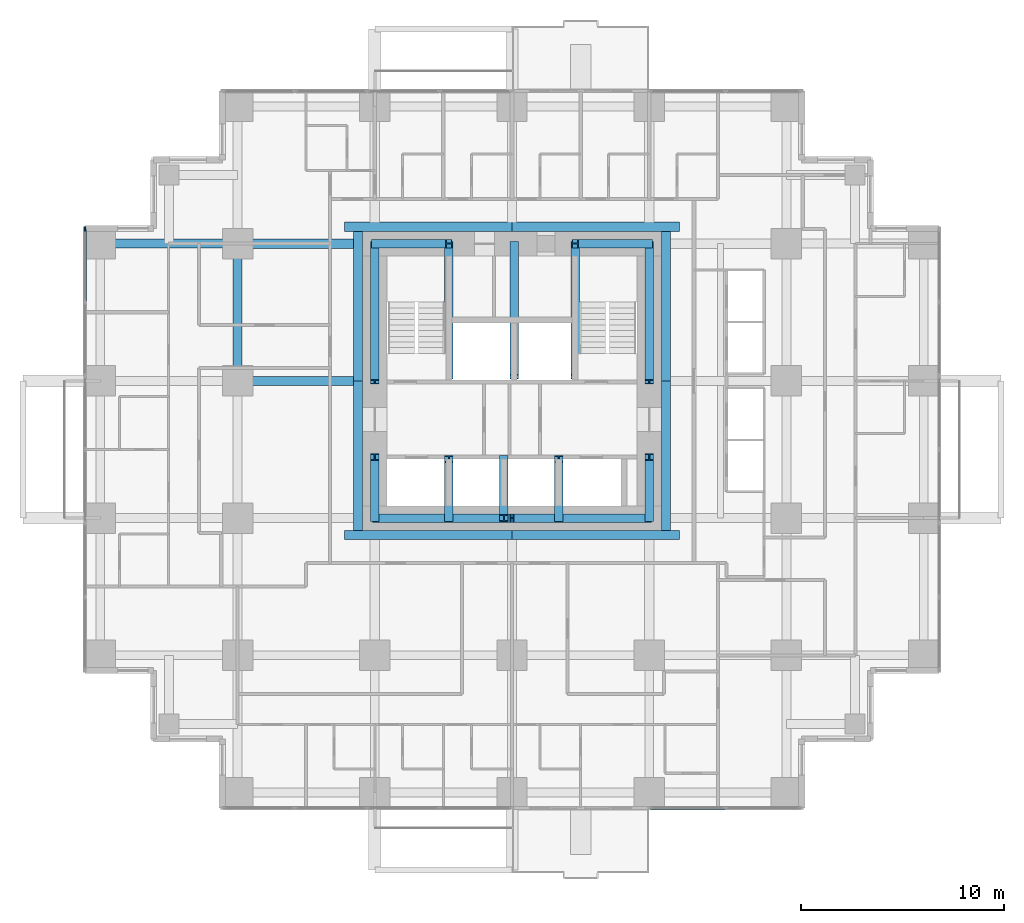
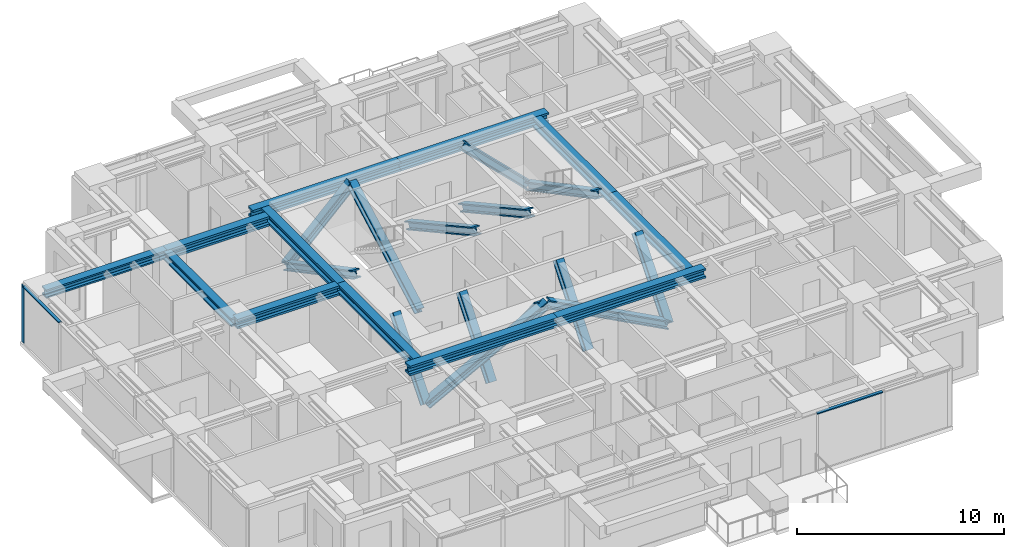
# One storey, part 3 of 12: 17 members, 12 beams, 2 elements without a shape of their own.
"""IFC4 building model written with IfcOpenShell, lengths in metres."""

from ifc_helpers import new_model, si_unit, direction, frame, origin, origin_2d, place, context, subcontext, project, spatial, rectangle, i_section, extrude, material, material_profile, profile_set, type_object, element, aggregate, save


model = new_model("IFC4")

# Units and contexts
model_context = context("Model", 3, precision=1e-05, world=origin(), true_north=direction((0.0, 1.0)))
body_context = subcontext(model_context, "Body", "Model", "MODEL_VIEW")
ifc_project = project(units=[si_unit("LENGTHUNIT", "METRE"), si_unit("AREAUNIT", "SQUARE_METRE"), si_unit("VOLUMEUNIT", "CUBIC_METRE"), si_unit("PLANEANGLEUNIT", "RADIAN"), si_unit("MASSUNIT", "GRAM", prefix="KILO")], contexts=[model_context])

# Site, building, storey
site_placement = place(None, origin())
site = spatial("IfcSite", under=ifc_project, at=site_placement, CompositionType="ELEMENT")
building_placement = place(site_placement, origin())
building = spatial("IfcBuilding", under=site, at=building_placement, Name="Nyansa Garden Tower", CompositionType="ELEMENT")
storey_placement = place(building_placement, frame((0.0, 0.0, 119.699951171875)))
storey = spatial("IfcBuildingStorey", under=building, at=storey_placement, Name="L32", CompositionType="ELEMENT", Elevation=119.699951171875)

# Curtain wall, member
ifc_material_1 = material(Name="Black anodised aluminium, dark tinted double glazing", Category="aluminium")
curtain_wall_type = type_object("IfcCurtainWallType", Name="Inner skin curtain wall ISW-B", PredefinedType="USERDEFINED", material=ifc_material_1)
curtain_wall_1_placement = place(storey_placement, origin())
curtain_wall_1 = element("IfcCurtainWall", 1, at=curtain_wall_1_placement, inside=storey, type_object=curtain_wall_type, Name="Inner skin curtain wall L32 W", ObjectType="UNITISED CURTAIN WALL", PredefinedType="USERDEFINED")
ifc_material_2 = material(Name="Black anodised aluminium", Category="aluminium")
ifc_material_profile_1 = material_profile(ifc_material_2, rectangle(XDim=0.06494140625, YDim=0.22509765625, at=origin_2d()), Name="Mullion 225x65")
ifc_profile_set_1 = profile_set([ifc_material_profile_1], Name="Black anodised aluminium")
member_type_1 = type_object("IfcMemberType", Name="Mullion ISW-B 225x65", PredefinedType="MULLION", material=ifc_profile_set_1)
member_1_placement = place(storey_placement, frame((-0.75, 27.717529296875, 0.0), z_axis=(0.0, 0.0, 1.0), x_axis=(1.0, 0.0, 0.0)))
member_1 = element("IfcMember", 2, at=member_1_placement, type_object=member_type_1, Name="ISW-B mullion 1", PredefinedType="MULLION", context=body_context, shape_type="SweptSolid", body=[
    extrude(rectangle(XDim=0.06494140625, YDim=0.22509765625, at=origin_2d()), origin(), (0.0, 0.0, 1.0), 3.375),
])

# Members
ifc_material_3 = material(Name="Steel S355", Category="steel")
ifc_material_profile_2 = material_profile(ifc_material_3, i_section(OverallWidth=0.41796875, OverallDepth=0.455078125, WebThickness=0.0419921875, FlangeThickness=0.067626953125, FilletRadius=0.014892578125, at=origin_2d()), Name="HD 400x463")
ifc_profile_set_2 = profile_set([ifc_material_profile_2], Name="Steel S355")
member_type_2 = type_object("IfcMemberType", Name="Perimeter brace HD 400x463", PredefinedType="BRACE", material=ifc_profile_set_2)
for number, where, z_axis, x_axis, name in (
    (3, (13.5, 13.5, 0.0), (0.882347640589, 0.0, 0.47059817376), (0.0, 1.0, 0.0), "Core brace CS1 L32"),
    (4, (27.0, 13.5, 0.0), (-0.882347640589, 0.0, 0.47059817376), (0.0, -1.0, 0.0), "Core brace CS2 L32"),
):
    element("IfcMember", number, at=place(storey_placement, frame(where, z_axis=z_axis, x_axis=x_axis)), inside=storey, type_object=member_type_2, Name=name, PredefinedType="BRACE", context=body_context, shape_type="SweptSolid", body=[
        extrude(i_section(OverallWidth=0.41796875, OverallDepth=0.455078125, WebThickness=0.0419921875, FlangeThickness=0.067626953125, FilletRadius=0.014892578125, at=origin_2d()), origin(), (0.0, 0.0, 1.0), 7.650146484375),
    ])
for number, where, z_axis, x_axis, name in (
    (5, (13.5, 27.0, 0.0), (0.711947531702, 0.0, 0.702232662373), (0.0, 1.0, 0.0), "Core brace CN3 L32"),
    (6, (27.0, 27.0, 0.0), (-0.711947531702, 0.0, 0.702232662373), (0.0, -1.0, 0.0), "Core brace CN4 L32"),
):
    element("IfcMember", number, at=place(storey_placement, frame(where, z_axis=z_axis, x_axis=x_axis)), inside=storey, type_object=member_type_2, Name=name, PredefinedType="BRACE", context=body_context, shape_type="SweptSolid", body=[
        extrude(i_section(OverallWidth=0.41796875, OverallDepth=0.455078125, WebThickness=0.0419921875, FlangeThickness=0.067626953125, FilletRadius=0.014892578125, at=origin_2d()), origin(), (0.0, 0.0, 1.0), 5.126708984375),
    ])
member_2_placement = place(storey_placement, frame((13.5, 13.5, 0.0), z_axis=(0.0, 0.640174150918, 0.768229820104), x_axis=(-1.0, 0.0, 0.0)))
element("IfcMember", 7, at=member_2_placement, inside=storey, type_object=member_type_2, Name="Core brace CW5 L32", PredefinedType="BRACE", context=body_context, shape_type="SweptSolid", body=[
    extrude(i_section(OverallWidth=0.41796875, OverallDepth=0.455078125, WebThickness=0.0419921875, FlangeThickness=0.067626953125, FilletRadius=0.014892578125, at=origin_2d()), origin(), (0.0, 0.0, 1.0), 4.686279296875),
])
member_3_placement = place(storey_placement, frame((13.5, 27.0, 0.0), z_axis=(0.0, -0.883784057226, 0.467895009796), x_axis=(1.0, 0.0, 0.0)))
element("IfcMember", 8, at=member_3_placement, inside=storey, type_object=member_type_2, Name="Core brace CW6 L32", PredefinedType="BRACE", context=body_context, shape_type="SweptSolid", body=[
    extrude(i_section(OverallWidth=0.41796875, OverallDepth=0.455078125, WebThickness=0.0419921875, FlangeThickness=0.067626953125, FilletRadius=0.014892578125, at=origin_2d()), origin(), (0.0, 0.0, 1.0), 7.6943359375),
])
member_4_placement = place(storey_placement, frame((27.0, 13.5, 0.0), z_axis=(0.0, 0.640174150918, 0.768229820104), x_axis=(-1.0, 0.0, 0.0)))
element("IfcMember", 9, at=member_4_placement, inside=storey, type_object=member_type_2, Name="Core brace CE7 L32", PredefinedType="BRACE", context=body_context, shape_type="SweptSolid", body=[
    extrude(i_section(OverallWidth=0.41796875, OverallDepth=0.455078125, WebThickness=0.0419921875, FlangeThickness=0.067626953125, FilletRadius=0.014892578125, at=origin_2d()), origin(), (0.0, 0.0, 1.0), 4.686279296875),
])
member_5_placement = place(storey_placement, frame((27.0, 27.0, 0.0), z_axis=(0.0, -0.883784057226, 0.467895009796), x_axis=(1.0, 0.0, 0.0)))
element("IfcMember", 10, at=member_5_placement, inside=storey, type_object=member_type_2, Name="Core brace CE8 L32", PredefinedType="BRACE", context=body_context, shape_type="SweptSolid", body=[
    extrude(i_section(OverallWidth=0.41796875, OverallDepth=0.455078125, WebThickness=0.0419921875, FlangeThickness=0.067626953125, FilletRadius=0.014892578125, at=origin_2d()), origin(), (0.0, 0.0, 1.0), 7.6943359375),
])
for number, where, z_axis, x_axis, name in (
    (11, (17.14990234375, 20.449951171875, 0.0), (0.0, 0.876353113771, 0.481669201822), (-1.0, 0.0, 0.0), "Core brace CWS9 L32"),
    (12, (23.35009765625, 27.0, 0.0), (0.0, -0.876353113771, 0.481669201822), (1.0, 0.0, 0.0), "Core brace CES10 L32"),
):
    element("IfcMember", number, at=place(storey_placement, frame(where, z_axis=z_axis, x_axis=x_axis)), inside=storey, type_object=member_type_2, Name=name, PredefinedType="BRACE", context=body_context, shape_type="SweptSolid", body=[
        extrude(i_section(OverallWidth=0.41796875, OverallDepth=0.455078125, WebThickness=0.0419921875, FlangeThickness=0.067626953125, FilletRadius=0.014892578125, at=origin_2d()), origin(), (0.0, 0.0, 1.0), 7.47412109375),
    ])
for number, where, z_axis, x_axis, name in (
    (13, (17.14990234375, 13.5, 0.0), (0.0, 0.627306405886, 0.778772542617), (-1.0, 0.0, 0.0), "Core brace CSW11 L32"),
    (14, (19.85009765625, 16.39990234375, 0.0), (0.0, -0.627306405886, 0.778772542617), (1.0, 0.0, 0.0), "Core brace CSW12 L32"),
    (15, (22.550048828125, 13.5, 0.0), (0.0, 0.627306405886, 0.778772542617), (-1.0, 0.0, 0.0), "Core brace CSW13 L32"),
):
    element("IfcMember", number, at=place(storey_placement, frame(where, z_axis=z_axis, x_axis=x_axis)), inside=storey, type_object=member_type_2, Name=name, PredefinedType="BRACE", context=body_context, shape_type="SweptSolid", body=[
        extrude(i_section(OverallWidth=0.41796875, OverallDepth=0.455078125, WebThickness=0.0419921875, FlangeThickness=0.067626953125, FilletRadius=0.014892578125, at=origin_2d()), origin(), (0.0, 0.0, 1.0), 4.622802734375),
    ])
member_6_placement = place(storey_placement, frame((20.35009765625, 27.0, 0.0), z_axis=(0.0, -0.876353113771, 0.481669201822), x_axis=(1.0, 0.0, 0.0)))
element("IfcMember", 16, at=member_6_placement, inside=storey, type_object=member_type_2, Name="Core brace CNW14 L32", PredefinedType="BRACE", context=body_context, shape_type="SweptSolid", body=[
    extrude(i_section(OverallWidth=0.41796875, OverallDepth=0.455078125, WebThickness=0.0419921875, FlangeThickness=0.067626953125, FilletRadius=0.014892578125, at=origin_2d()), origin(), (0.0, 0.0, 1.0), 7.47412109375),
])

# Beams
ifc_material_4 = material(Name="Steel S355", Category="steel")
ifc_material_profile_3 = material_profile(ifc_material_4, i_section(OverallWidth=0.431884765625, OverallDepth=0.498046875, WebThickness=0.0556640625, FlangeThickness=0.0888671875, FilletRadius=0.014892578125, at=origin_2d()), Name="HD 400x744")
ifc_profile_set_3 = profile_set([ifc_material_profile_3], Name="Steel S355")
beam_type_1 = type_object("IfcBeamType", Name="Steel beam SBB1-744 HD 400x744", PredefinedType="BEAM", material=ifc_profile_set_3)
for number, where, z_axis, x_axis, name in (
    (17, (0.0, 27.0, 3.1259765625), (1.0, 0.0, 0.0), (0.0, 1.0, 0.0), "Steel beam 2/H-3/H L33"),
    (18, (6.75, 20.25, 3.1259765625), (0.0, 1.0, 0.0), (-1.0, 0.0, 0.0), "Steel beam 3/G-3/H L33"),
):
    element("IfcBeam", number, at=place(storey_placement, frame(where, z_axis=z_axis, x_axis=x_axis)), inside=storey, type_object=beam_type_1, Name=name, PredefinedType="BEAM", context=body_context, shape_type="SweptSolid", body=[
        extrude(i_section(OverallWidth=0.431884765625, OverallDepth=0.498046875, WebThickness=0.0556640625, FlangeThickness=0.0888671875, FilletRadius=0.014892578125, at=origin_2d()), origin(), (0.0, 0.0, 1.0), 6.75),
    ])
ifc_material_5 = material(Name="Steel S355", Category="steel")
ifc_material_profile_4 = material_profile(ifc_material_5, i_section(OverallWidth=0.4541015625, OverallDepth=0.569091796875, WebThickness=0.077880859375, FlangeThickness=0.125, FilletRadius=0.014892578125, at=origin_2d()), Name="HD 400x1086")
ifc_profile_set_4 = profile_set([ifc_material_profile_4], Name="Steel S355")
beam_type_2 = type_object("IfcBeamType", Name="Steel beam SCL-1086 HD 400x1086", PredefinedType="BEAM", material=ifc_profile_set_4)
for number, where, z_axis, x_axis, name in (
    (19, (6.75, 20.25, 3.090576171875), (1.0, 0.0, 0.0), (0.0, 1.0, 0.0), "Steel beam 3/G-12.450/G L33"),
    (20, (6.75, 27.0, 3.090576171875), (1.0, 0.0, 0.0), (0.0, 1.0, 0.0), "Steel beam 3/H-12.450/H L33"),
):
    element("IfcBeam", number, at=place(storey_placement, frame(where, z_axis=z_axis, x_axis=x_axis)), inside=storey, type_object=beam_type_2, Name=name, PredefinedType="BEAM", context=body_context, shape_type="SweptSolid", body=[
        extrude(i_section(OverallWidth=0.4541015625, OverallDepth=0.569091796875, WebThickness=0.077880859375, FlangeThickness=0.125, FilletRadius=0.014892578125, at=origin_2d()), origin(), (0.0, 0.0, 1.0), 5.699951171875),
    ])
for number, where, z_axis, x_axis, name in (
    (21, (12.0, 12.673095703125, 3.090576171875), (1.0, 0.0, 0.0), (0.0, 1.0, 0.0), "Steel core ledger beam S.1 L33"),
    (22, (20.25, 12.673095703125, 3.090576171875), (1.0, 0.0, 0.0), (0.0, 1.0, 0.0), "Steel core ledger beam S.2 L33"),
):
    element("IfcBeam", number, at=place(storey_placement, frame(where, z_axis=z_axis, x_axis=x_axis)), inside=storey, type_object=beam_type_2, Name=name, PredefinedType="BEAM", context=body_context, shape_type="SweptSolid", body=[
        extrude(i_section(OverallWidth=0.4541015625, OverallDepth=0.569091796875, WebThickness=0.077880859375, FlangeThickness=0.125, FilletRadius=0.014892578125, at=origin_2d()), origin(), (0.0, 0.0, 1.0), 8.25),
    ])
for number, where, z_axis, x_axis, name in (
    (23, (27.826904296875, 12.89990234375, 3.090576171875), (0.0, 1.0, 0.0), (-1.0, 0.0, 0.0), "Steel core ledger beam E.1 L33"),
    (24, (27.826904296875, 20.25, 3.090576171875), (0.0, 1.0, 0.0), (-1.0, 0.0, 0.0), "Steel core ledger beam E.2 L33"),
):
    element("IfcBeam", number, at=place(storey_placement, frame(where, z_axis=z_axis, x_axis=x_axis)), inside=storey, type_object=beam_type_2, Name=name, PredefinedType="BEAM", context=body_context, shape_type="SweptSolid", body=[
        extrude(i_section(OverallWidth=0.4541015625, OverallDepth=0.569091796875, WebThickness=0.077880859375, FlangeThickness=0.125, FilletRadius=0.014892578125, at=origin_2d()), origin(), (0.0, 0.0, 1.0), 7.35009765625),
    ])
for number, where, z_axis, x_axis, name in (
    (25, (28.5, 27.826904296875, 3.090576171875), (-1.0, 0.0, 0.0), (0.0, -1.0, 0.0), "Steel core ledger beam N.1 L33"),
    (26, (20.25, 27.826904296875, 3.090576171875), (-1.0, 0.0, 0.0), (0.0, -1.0, 0.0), "Steel core ledger beam N.2 L33"),
):
    element("IfcBeam", number, at=place(storey_placement, frame(where, z_axis=z_axis, x_axis=x_axis)), inside=storey, type_object=beam_type_2, Name=name, PredefinedType="BEAM", context=body_context, shape_type="SweptSolid", body=[
        extrude(i_section(OverallWidth=0.4541015625, OverallDepth=0.569091796875, WebThickness=0.077880859375, FlangeThickness=0.125, FilletRadius=0.014892578125, at=origin_2d()), origin(), (0.0, 0.0, 1.0), 8.25),
    ])
for number, where, z_axis, x_axis, name in (
    (27, (12.673095703125, 27.60009765625, 3.090576171875), (0.0, -1.0, 0.0), (1.0, 0.0, 0.0), "Steel core ledger beam W.1 L33"),
    (28, (12.673095703125, 20.25, 3.090576171875), (0.0, -1.0, 0.0), (1.0, 0.0, 0.0), "Steel core ledger beam W.2 L33"),
):
    element("IfcBeam", number, at=place(storey_placement, frame(where, z_axis=z_axis, x_axis=x_axis)), inside=storey, type_object=beam_type_2, Name=name, PredefinedType="BEAM", context=body_context, shape_type="SweptSolid", body=[
        extrude(i_section(OverallWidth=0.4541015625, OverallDepth=0.569091796875, WebThickness=0.077880859375, FlangeThickness=0.125, FilletRadius=0.014892578125, at=origin_2d()), origin(), (0.0, 0.0, 1.0), 7.35009765625),
    ])

# Member
ifc_material_6 = material(Name="Black anodised aluminium", Category="aluminium")
ifc_material_profile_5 = material_profile(ifc_material_6, rectangle(XDim=0.1650390625, YDim=0.06494140625, at=origin_2d()), Name="Transom 165x65")
ifc_profile_set_5 = profile_set([ifc_material_profile_5], Name="Black anodised aluminium")
member_type_3 = type_object("IfcMemberType", Name="Transom ISW-B 165x65", PredefinedType="USERDEFINED", material=ifc_profile_set_5)
member_7_placement = place(storey_placement, frame((-0.75, 27.68505859375, 3.342529296875), z_axis=(0.0, -1.0, 0.0), x_axis=(1.0, 0.0, 0.0)))
member_7 = element("IfcMember", 29, at=member_7_placement, type_object=member_type_3, Name="ISW-B transom 1", ObjectType="TRANSOM", PredefinedType="USERDEFINED", context=body_context, shape_type="SweptSolid", body=[
    extrude(rectangle(XDim=0.1650390625, YDim=0.06494140625, at=origin_2d()), origin(), (0.0, 0.0, 1.0), 3.527587890625),
])

aggregate(curtain_wall_1, [member_1, member_7])

# Curtain wall, member
curtain_wall_2_placement = place(storey_placement, origin())
curtain_wall_2 = element("IfcCurtainWall", 30, at=curtain_wall_2_placement, inside=storey, type_object=curtain_wall_type, Name="Inner skin curtain wall L32 S", ObjectType="UNITISED CURTAIN WALL", PredefinedType="USERDEFINED")
member_8_placement = place(storey_placement, frame((27.06494140625, -0.75, 3.342529296875), z_axis=(1.0, 0.0, 0.0), x_axis=(0.0, 1.0, 0.0)))
member_8 = element("IfcMember", 31, at=member_8_placement, type_object=member_type_3, Name="ISW-B transom 1", ObjectType="TRANSOM", PredefinedType="USERDEFINED", context=body_context, shape_type="SweptSolid", body=[
    extrude(rectangle(XDim=0.1650390625, YDim=0.06494140625, at=origin_2d()), origin(), (0.0, 0.0, 1.0), 3.652587890625),
])
aggregate(curtain_wall_2, [member_8])

save(model, "model.ifc")
